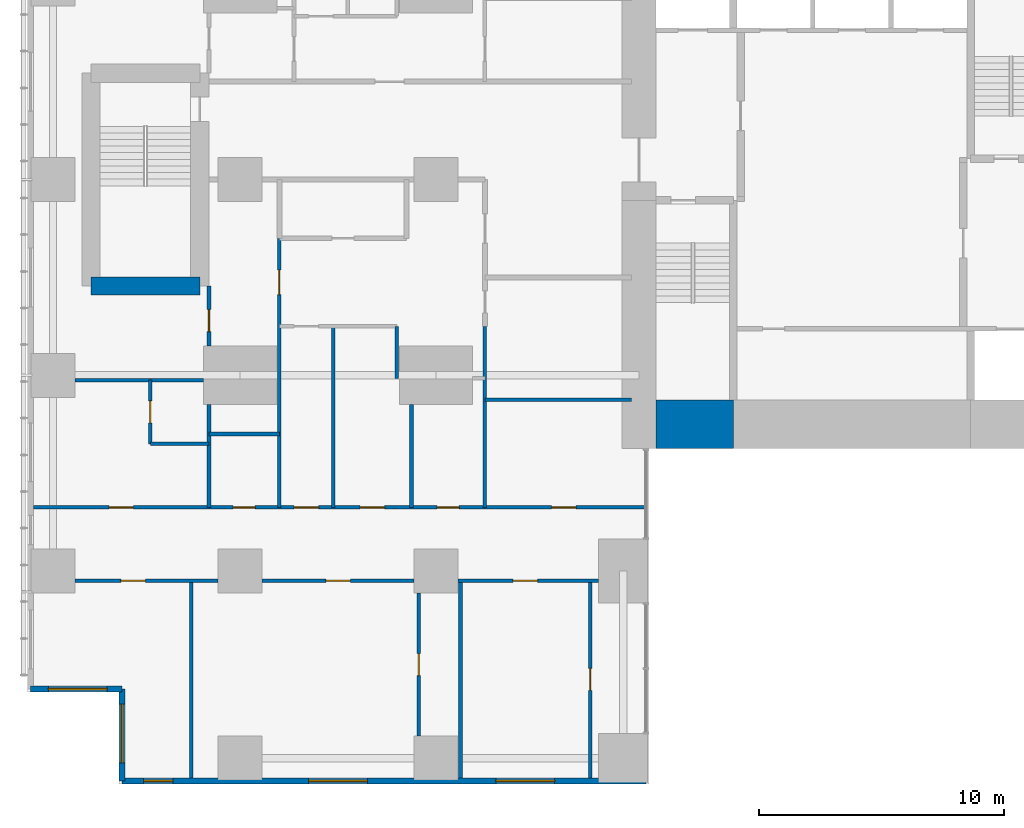
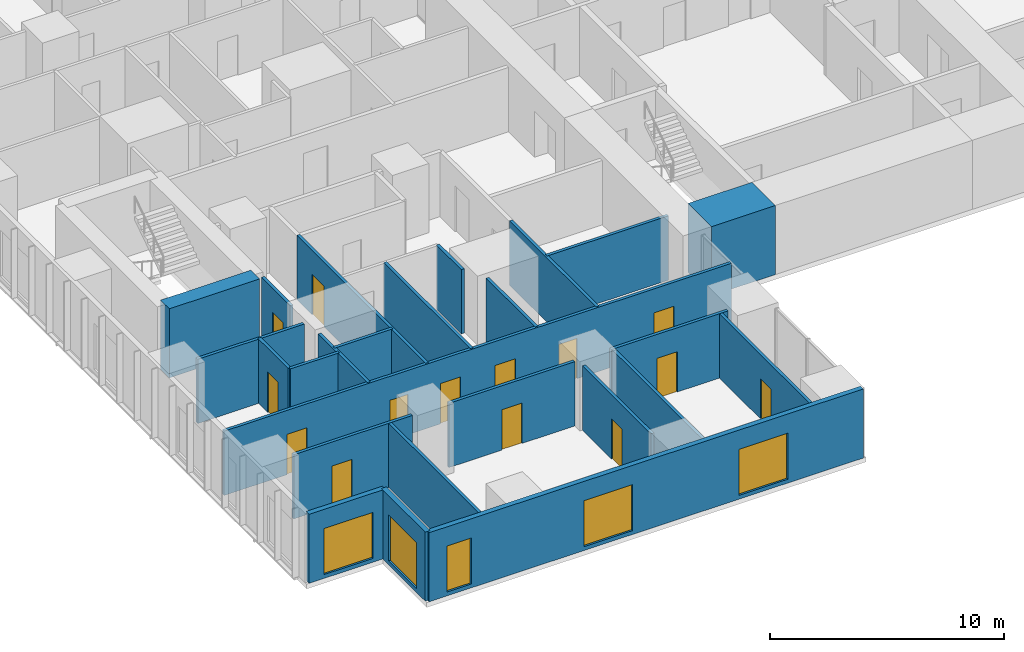
# One storey, part 12 of 20: 25 walls, 14 doors, 5 windows, 19 openings.
"""IFC4 building model written with IfcOpenShell, lengths in metres."""

from ifc_helpers import new_model, si_unit, direction, frame, frame_2d, origin, place, context, subcontext, project, spatial, rectangle, extrude, material, layer, layer_set, type_object, element, fill, save


model = new_model("IFC4")

# Units and contexts
model_context = context("Model", 3, precision=1e-05, world=origin(), true_north=direction((0.0, 1.0)))
body_context = subcontext(model_context, "Body", "Model", "MODEL_VIEW")
ifc_project = project(units=[si_unit("LENGTHUNIT", "METRE"), si_unit("AREAUNIT", "SQUARE_METRE"), si_unit("VOLUMEUNIT", "CUBIC_METRE"), si_unit("PLANEANGLEUNIT", "RADIAN"), si_unit("MASSUNIT", "GRAM", prefix="KILO")], contexts=[model_context])

# Site, building, storey
site_placement = place(None, origin())
site = spatial("IfcSite", under=ifc_project, at=site_placement, CompositionType="ELEMENT")
building_placement = place(site_placement, origin())
building = spatial("IfcBuilding", under=site, at=building_placement, Name="Cleftline Residences", CompositionType="ELEMENT")
storey_placement = place(building_placement, frame((0.0, 0.0, 211.0)))
storey = spatial("IfcBuildingStorey", under=building, at=storey_placement, Name="L55", CompositionType="ELEMENT", Elevation=211.0)

# Wall
ifc_material_1 = material(Name="Concrete B70", Category="concrete")
ifc_layer_1 = layer(ifc_material_1, 2.0)
ifc_layer_set_1 = layer_set([ifc_layer_1], Name="CORE WALL 2000")
wall_type_1 = type_object("IfcWallType", Name="CORE WALL 2000", PredefinedType="SHEAR", material=ifc_layer_set_1)
wall_1_placement = place(storey_placement, frame((25.0, 14.0, 0.0), z_axis=(0.0, 0.0, 1.0), x_axis=(1.0, 0.0, 0.0)))
element("IfcWall", 1, at=wall_1_placement, inside=storey, type_object=wall_type_1, Name="Core wall S1", PredefinedType="SHEAR", context=body_context, shape_type="SweptSolid", body=[
    extrude(rectangle(XDim=3.14990234375, YDim=2.0, at=frame_2d((1.574951171875, 0.0))), origin(), (0.0, 0.0, 1.0), 3.60009765625),
])

# Wall, opening, window
ifc_material_2 = material(Name="Rendered reinforced concrete blockwork", Category="masonry")
ifc_layer_2 = layer(ifc_material_2, 0.25)
ifc_layer_set_2 = layer_set([ifc_layer_2], Name="EXTERNAL WALL 250")
wall_type_2 = type_object("IfcWallType", Name="EXTERNAL WALL 250", PredefinedType="SOLIDWALL", material=ifc_layer_set_2)
wall_2_placement = place(storey_placement, frame((-0.574951171875, 3.175048828125, 0.0), z_axis=(0.0, 0.0, 1.0), x_axis=(1.0, 0.0, 0.0)))
wall_2 = element("IfcWall", 2, at=wall_2_placement, inside=storey, type_object=wall_type_2, Name="External wall", PredefinedType="SOLIDWALL", context=body_context, shape_type="SweptSolid", body=[
    extrude(rectangle(XDim=3.75, YDim=0.25, at=frame_2d((1.875, 0.0))), origin(), (0.0, 0.0, 1.0), 3.60009765625),
])
opening_1_placement = place(wall_2_placement, frame((0.737548828125, 0.0, 0.199951171875)))
opening_1 = element("IfcOpeningElement", 3, at=opening_1_placement, cuts=wall_2, Name="Opening W9", PredefinedType="OPENING", context=body_context, shape_type="SweptSolid", body=[
    extrude(rectangle(XDim=2.39990234375, YDim=2.39990234375, at=frame_2d((1.199951171875, 1.199951171875))), frame((0.0, 0.135009765625, 0.0), z_axis=(0.0, -1.0, 0.0), x_axis=(1.0, 0.0, 0.0)), (0.0, 0.0, 1.0), 0.27001953125),
])
ifc_material_3 = material(Name="Aluminium frame, clear double glazing", Category="aluminium")
window_type_1 = type_object("IfcWindowType", Name="WINDOW 2400X2400", PartitioningType="DOUBLE_PANEL_VERTICAL", PredefinedType="WINDOW", material=ifc_material_3)
window_1_placement = place(opening_1_placement, origin())
window_1 = element("IfcWindow", 4, at=window_1_placement, inside=storey, type_object=window_type_1, Name="Window", OverallHeight=2.39990234375, OverallWidth=2.39990234375, PartitioningType="SINGLE_PANEL", PredefinedType="WINDOW", context=body_context, shape_type="SweptSolid", body=[
    extrude(rectangle(XDim=2.39990234375, YDim=2.39990234375, at=frame_2d((1.199951171875, 1.199951171875))), frame((0.0, 0.030029296875, 0.0), z_axis=(0.0, -1.0, 0.0), x_axis=(1.0, 0.0, 0.0)), (0.0, 0.0, 1.0), 0.06005859375),
])
fill(opening_1, window_1)

wall_3_placement = place(storey_placement, frame((3.175048828125, 3.175048828125, 0.0), z_axis=(0.0, 0.0, 1.0), x_axis=(0.0, -1.0, 0.0)))
wall_3 = element("IfcWall", 5, at=wall_3_placement, inside=storey, type_object=wall_type_2, Name="External wall", PredefinedType="SOLIDWALL", context=body_context, shape_type="SweptSolid", body=[
    extrude(rectangle(XDim=3.75, YDim=0.25, at=frame_2d((1.875, 0.0))), origin(), (0.0, 0.0, 1.0), 3.60009765625),
])
opening_2_placement = place(wall_3_placement, frame((0.612548828125, 0.0, 0.199951171875)))
opening_2 = element("IfcOpeningElement", 6, at=opening_2_placement, cuts=wall_3, Name="Opening W9", PredefinedType="OPENING", context=body_context, shape_type="SweptSolid", body=[
    extrude(rectangle(XDim=2.39990234375, YDim=2.39990234375, at=frame_2d((1.199951171875, 1.199951171875))), frame((0.0, 0.135009765625, 0.0), z_axis=(0.0, -1.0, 0.0), x_axis=(1.0, 0.0, 0.0)), (0.0, 0.0, 1.0), 0.27001953125),
])
window_2_placement = place(opening_2_placement, origin())
window_2 = element("IfcWindow", 7, at=window_2_placement, inside=storey, type_object=window_type_1, Name="Window", OverallHeight=2.39990234375, OverallWidth=2.39990234375, PartitioningType="SINGLE_PANEL", PredefinedType="WINDOW", context=body_context, shape_type="SweptSolid", body=[
    extrude(rectangle(XDim=2.39990234375, YDim=2.39990234375, at=frame_2d((1.199951171875, 1.199951171875))), frame((0.0, 0.030029296875, 0.0), z_axis=(0.0, -1.0, 0.0), x_axis=(1.0, 0.0, 0.0)), (0.0, 0.0, 1.0), 0.06005859375),
])
fill(opening_2, window_2)

# Wall, openings, windows
wall_4_placement = place(storey_placement, frame((3.175048828125, -0.574951171875, 0.0), z_axis=(0.0, 0.0, 1.0), x_axis=(1.0, 0.0, 0.0)))
wall_4 = element("IfcWall", 8, at=wall_4_placement, inside=storey, type_object=wall_type_2, Name="External wall", PredefinedType="SOLIDWALL", context=body_context, shape_type="SweptSolid", body=[
    extrude(rectangle(XDim=21.39990234375, YDim=0.25, at=frame_2d((10.699951171875, 0.0))), origin(), (0.0, 0.0, 1.0), 3.60009765625),
])
opening_3_placement = place(wall_4_placement, frame((0.875, 0.0, 0.199951171875)))
opening_3 = element("IfcOpeningElement", 9, at=opening_3_placement, cuts=wall_4, Name="Opening W13", PredefinedType="OPENING", context=body_context, shape_type="SweptSolid", body=[
    extrude(rectangle(XDim=1.199951171875, YDim=2.39990234375, at=frame_2d((0.60009765625, 1.199951171875))), frame((0.0, 0.135009765625, 0.0), z_axis=(0.0, -1.0, 0.0), x_axis=(1.0, 0.0, 0.0)), (0.0, 0.0, 1.0), 0.27001953125),
])
opening_4_placement = place(wall_4_placement, frame((7.625, 0.0, 0.199951171875)))
opening_4 = element("IfcOpeningElement", 10, at=opening_4_placement, cuts=wall_4, Name="Opening W9", PredefinedType="OPENING", context=body_context, shape_type="SweptSolid", body=[
    extrude(rectangle(XDim=2.39990234375, YDim=2.39990234375, at=frame_2d((1.199951171875, 1.199951171875))), frame((0.0, 0.135009765625, 0.0), z_axis=(0.0, -1.0, 0.0), x_axis=(1.0, 0.0, 0.0)), (0.0, 0.0, 1.0), 0.27001953125),
])
opening_5_placement = place(wall_4_placement, frame((15.27490234375, 0.0, 0.199951171875)))
opening_5 = element("IfcOpeningElement", 11, at=opening_5_placement, cuts=wall_4, Name="Opening W9", PredefinedType="OPENING", context=body_context, shape_type="SweptSolid", body=[
    extrude(rectangle(XDim=2.39990234375, YDim=2.39990234375, at=frame_2d((1.199951171875, 1.199951171875))), frame((0.0, 0.135009765625, 0.0), z_axis=(0.0, -1.0, 0.0), x_axis=(1.0, 0.0, 0.0)), (0.0, 0.0, 1.0), 0.27001953125),
])
ifc_material_4 = material(Name="Aluminium frame, clear double glazing", Category="aluminium")
window_type_2 = type_object("IfcWindowType", Name="WINDOW 1200X2400", PartitioningType="DOUBLE_PANEL_VERTICAL", PredefinedType="WINDOW", material=ifc_material_4)
window_3_placement = place(opening_3_placement, origin())
window_3 = element("IfcWindow", 12, at=window_3_placement, inside=storey, type_object=window_type_2, Name="Window", OverallHeight=2.39990234375, OverallWidth=1.199951171875, PartitioningType="SINGLE_PANEL", PredefinedType="WINDOW", context=body_context, shape_type="SweptSolid", body=[
    extrude(rectangle(XDim=1.199951171875, YDim=2.39990234375, at=frame_2d((0.60009765625, 1.199951171875))), frame((0.0, 0.030029296875, 0.0), z_axis=(0.0, -1.0, 0.0), x_axis=(1.0, 0.0, 0.0)), (0.0, 0.0, 1.0), 0.06005859375),
])
fill(opening_3, window_3)
window_4_placement = place(opening_4_placement, origin())
window_4 = element("IfcWindow", 13, at=window_4_placement, inside=storey, type_object=window_type_1, Name="Window", OverallHeight=2.39990234375, OverallWidth=2.39990234375, PartitioningType="SINGLE_PANEL", PredefinedType="WINDOW", context=body_context, shape_type="SweptSolid", body=[
    extrude(rectangle(XDim=2.39990234375, YDim=2.39990234375, at=frame_2d((1.199951171875, 1.199951171875))), frame((0.0, 0.030029296875, 0.0), z_axis=(0.0, -1.0, 0.0), x_axis=(1.0, 0.0, 0.0)), (0.0, 0.0, 1.0), 0.06005859375),
])
fill(opening_4, window_4)
window_5_placement = place(opening_5_placement, origin())
window_5 = element("IfcWindow", 14, at=window_5_placement, inside=storey, type_object=window_type_1, Name="Window", OverallHeight=2.39990234375, OverallWidth=2.39990234375, PartitioningType="SINGLE_PANEL", PredefinedType="WINDOW", context=body_context, shape_type="SweptSolid", body=[
    extrude(rectangle(XDim=2.39990234375, YDim=2.39990234375, at=frame_2d((1.199951171875, 1.199951171875))), frame((0.0, 0.030029296875, 0.0), z_axis=(0.0, -1.0, 0.0), x_axis=(1.0, 0.0, 0.0)), (0.0, 0.0, 1.0), 0.06005859375),
])
fill(opening_5, window_5)

# Wall, opening, door
ifc_material_5 = material(Name="Gypsum board on steel studs", Category="steel")
ifc_layer_3 = layer(ifc_material_5, 0.14990234375)
ifc_layer_set_3 = layer_set([ifc_layer_3], Name="PARTITION 150")
wall_type_3 = type_object("IfcWallType", Name="PARTITION 150", PredefinedType="PARTITIONING", material=ifc_layer_set_3)
wall_5_placement = place(storey_placement, frame((1.25, 7.60009765625, 0.0), z_axis=(0.0, 0.0, 1.0), x_axis=(1.0, 0.0, 0.0)))
wall_5 = element("IfcWall", 15, at=wall_5_placement, inside=storey, type_object=wall_type_3, Name="Partition", PredefinedType="PARTITIONING", context=body_context, shape_type="SweptSolid", body=[
    extrude(rectangle(XDim=5.85009765625, YDim=0.14990234375, at=frame_2d((2.925048828125, 0.0))), origin(), (0.0, 0.0, 1.0), 3.35009765625),
])
opening_6_placement = place(wall_5_placement, frame((1.875, 0.0, 0.0)))
opening_6 = element("IfcOpeningElement", 16, at=opening_6_placement, cuts=wall_5, Name="Opening D2", PredefinedType="OPENING", context=body_context, shape_type="SweptSolid", body=[
    extrude(rectangle(XDim=1.0, YDim=2.10009765625, at=frame_2d((0.5, 1.050048828125))), frame((0.0, 0.0849609375, 0.0), z_axis=(0.0, -1.0, 0.0), x_axis=(1.0, 0.0, 0.0)), (0.0, 0.0, 1.0), 0.169921875),
])
ifc_material_6 = material(Name="Timber veneer on solid core", Category="wood")
door_type_1 = type_object("IfcDoorType", Name="DOOR 1000X2100", OperationType="SINGLE_SWING_LEFT", PredefinedType="DOOR", material=ifc_material_6)
door_1_placement = place(opening_6_placement, origin())
door_1 = element("IfcDoor", 17, at=door_1_placement, inside=storey, type_object=door_type_1, Name="Door to winter garden", OperationType="SINGLE_SWING_RIGHT", OverallHeight=2.10009765625, OverallWidth=1.0, PredefinedType="DOOR", context=body_context, shape_type="SweptSolid", body=[
    extrude(rectangle(XDim=1.0, YDim=2.10009765625, at=frame_2d((0.5, 1.050048828125))), frame((0.0, 0.02490234375, 0.0), z_axis=(0.0, -1.0, 0.0), x_axis=(1.0, 0.0, 0.0)), (0.0, 0.0, 1.0), 0.050048828125),
])
fill(opening_6, door_1)

wall_6_placement = place(storey_placement, frame((8.89990234375, 7.60009765625, 0.0), z_axis=(0.0, 0.0, 1.0), x_axis=(1.0, 0.0, 0.0)))
wall_6 = element("IfcWall", 18, at=wall_6_placement, inside=storey, type_object=wall_type_3, Name="Partition", PredefinedType="PARTITIONING", context=body_context, shape_type="SweptSolid", body=[
    extrude(rectangle(XDim=6.2001953125, YDim=0.14990234375, at=frame_2d((3.10009765625, 0.0))), origin(), (0.0, 0.0, 1.0), 3.35009765625),
])
opening_7_placement = place(wall_6_placement, frame((2.60009765625, 0.0, 0.0)))
opening_7 = element("IfcOpeningElement", 19, at=opening_7_placement, cuts=wall_6, Name="Opening D2", PredefinedType="OPENING", context=body_context, shape_type="SweptSolid", body=[
    extrude(rectangle(XDim=1.0, YDim=2.10009765625, at=frame_2d((0.5, 1.050048828125))), frame((0.0, 0.0849609375, 0.0), z_axis=(0.0, -1.0, 0.0), x_axis=(1.0, 0.0, 0.0)), (0.0, 0.0, 1.0), 0.169921875),
])
door_2_placement = place(opening_7_placement, origin())
door_2 = element("IfcDoor", 20, at=door_2_placement, inside=storey, type_object=door_type_1, Name="Door to great room", OperationType="SINGLE_SWING_LEFT", OverallHeight=2.10009765625, OverallWidth=1.0, PredefinedType="DOOR", context=body_context, shape_type="SweptSolid", body=[
    extrude(rectangle(XDim=1.0, YDim=2.10009765625, at=frame_2d((0.5, 1.050048828125))), frame((0.0, 0.02490234375, 0.0), z_axis=(0.0, -1.0, 0.0), x_axis=(1.0, 0.0, 0.0)), (0.0, 0.0, 1.0), 0.050048828125),
])
fill(opening_7, door_2)

wall_7_placement = place(storey_placement, frame((16.89990234375, 7.60009765625, 0.0), z_axis=(0.0, 0.0, 1.0), x_axis=(1.0, 0.0, 0.0)))
wall_7 = element("IfcWall", 21, at=wall_7_placement, inside=storey, type_object=wall_type_3, Name="Partition", PredefinedType="PARTITIONING", context=body_context, shape_type="SweptSolid", body=[
    extrude(rectangle(XDim=5.75, YDim=0.14990234375, at=frame_2d((2.875, 0.0))), origin(), (0.0, 0.0, 1.0), 3.35009765625),
])
opening_8_placement = place(wall_7_placement, frame((2.25, 0.0, 0.0)))
opening_8 = element("IfcOpeningElement", 22, at=opening_8_placement, cuts=wall_7, Name="Opening D2", PredefinedType="OPENING", context=body_context, shape_type="SweptSolid", body=[
    extrude(rectangle(XDim=1.0, YDim=2.10009765625, at=frame_2d((0.5, 1.050048828125))), frame((0.0, 0.0849609375, 0.0), z_axis=(0.0, -1.0, 0.0), x_axis=(1.0, 0.0, 0.0)), (0.0, 0.0, 1.0), 0.169921875),
])
door_3_placement = place(opening_8_placement, origin())
door_3 = element("IfcDoor", 23, at=door_3_placement, inside=storey, type_object=door_type_1, Name="Door to show kitchen", OperationType="SINGLE_SWING_RIGHT", OverallHeight=2.10009765625, OverallWidth=1.0, PredefinedType="DOOR", context=body_context, shape_type="SweptSolid", body=[
    extrude(rectangle(XDim=1.0, YDim=2.10009765625, at=frame_2d((0.5, 1.050048828125))), frame((0.0, 0.02490234375, 0.0), z_axis=(0.0, -1.0, 0.0), x_axis=(1.0, 0.0, 0.0)), (0.0, 0.0, 1.0), 0.050048828125),
])
fill(opening_8, door_3)

# Wall, openings, doors
wall_8_placement = place(storey_placement, frame((-0.449951171875, 10.60009765625, 0.0), z_axis=(0.0, 0.0, 1.0), x_axis=(1.0, 0.0, 0.0)))
wall_8 = element("IfcWall", 24, at=wall_8_placement, inside=storey, type_object=wall_type_3, Name="Partition", PredefinedType="PARTITIONING", context=body_context, shape_type="SweptSolid", body=[
    extrude(rectangle(XDim=25.010986328125, YDim=0.14990234375, at=frame_2d((12.50537109375, 0.0))), origin(), (0.0, 0.0, 1.0), 3.35009765625),
])
opening_9_placement = place(wall_8_placement, frame((10.64990234375, 0.0, 0.0)))
opening_9 = element("IfcOpeningElement", 25, at=opening_9_placement, cuts=wall_8, Name="Opening D2", PredefinedType="OPENING", context=body_context, shape_type="SweptSolid", body=[
    extrude(rectangle(XDim=1.0, YDim=2.10009765625, at=frame_2d((0.5, 1.050048828125))), frame((0.0, 0.0849609375, 0.0), z_axis=(0.0, -1.0, 0.0), x_axis=(1.0, 0.0, 0.0)), (0.0, 0.0, 1.0), 0.169921875),
])
opening_10_placement = place(wall_8_placement, frame((3.08740234375, 0.0, 0.0)))
opening_10 = element("IfcOpeningElement", 26, at=opening_10_placement, cuts=wall_8, Name="Opening D2", PredefinedType="OPENING", context=body_context, shape_type="SweptSolid", body=[
    extrude(rectangle(XDim=1.0, YDim=2.10009765625, at=frame_2d((0.5, 1.050048828125))), frame((0.0, 0.0849609375, 0.0), z_axis=(0.0, -1.0, 0.0), x_axis=(1.0, 0.0, 0.0)), (0.0, 0.0, 1.0), 0.169921875),
])
opening_11_placement = place(wall_8_placement, frame((8.16259765625, 0.0, 0.0)))
opening_11 = element("IfcOpeningElement", 27, at=opening_11_placement, cuts=wall_8, Name="Opening D1", PredefinedType="OPENING", context=body_context, shape_type="SweptSolid", body=[
    extrude(rectangle(XDim=0.89990234375, YDim=2.10009765625, at=frame_2d((0.449951171875, 1.050048828125))), frame((0.0, 0.0849609375, 0.0), z_axis=(0.0, -1.0, 0.0), x_axis=(1.0, 0.0, 0.0)), (0.0, 0.0, 1.0), 0.169921875),
])
opening_12_placement = place(wall_8_placement, frame((13.35009765625, 0.0, 0.0)))
opening_12 = element("IfcOpeningElement", 28, at=opening_12_placement, cuts=wall_8, Name="Opening D2", PredefinedType="OPENING", context=body_context, shape_type="SweptSolid", body=[
    extrude(rectangle(XDim=1.0, YDim=2.10009765625, at=frame_2d((0.5, 1.050048828125))), frame((0.0, 0.0849609375, 0.0), z_axis=(0.0, -1.0, 0.0), x_axis=(1.0, 0.0, 0.0)), (0.0, 0.0, 1.0), 0.169921875),
])
opening_13_placement = place(wall_8_placement, frame((16.5, 0.0, 0.0)))
opening_13 = element("IfcOpeningElement", 29, at=opening_13_placement, cuts=wall_8, Name="Opening D1", PredefinedType="OPENING", context=body_context, shape_type="SweptSolid", body=[
    extrude(rectangle(XDim=0.89990234375, YDim=2.10009765625, at=frame_2d((0.449951171875, 1.050048828125))), frame((0.0, 0.0849609375, 0.0), z_axis=(0.0, -1.0, 0.0), x_axis=(1.0, 0.0, 0.0)), (0.0, 0.0, 1.0), 0.169921875),
])
opening_14_placement = place(wall_8_placement, frame((21.175048828125, 0.0, 0.0)))
opening_14 = element("IfcOpeningElement", 30, at=opening_14_placement, cuts=wall_8, Name="Opening D2", PredefinedType="OPENING", context=body_context, shape_type="SweptSolid", body=[
    extrude(rectangle(XDim=1.0, YDim=2.10009765625, at=frame_2d((0.5, 1.050048828125))), frame((0.0, 0.0849609375, 0.0), z_axis=(0.0, -1.0, 0.0), x_axis=(1.0, 0.0, 0.0)), (0.0, 0.0, 1.0), 0.169921875),
])
door_4_placement = place(opening_9_placement, origin())
door_4 = element("IfcDoor", 31, at=door_4_placement, inside=storey, type_object=door_type_1, Name="Door to residence hall", OperationType="SINGLE_SWING_RIGHT", OverallHeight=2.10009765625, OverallWidth=1.0, PredefinedType="DOOR", context=body_context, shape_type="SweptSolid", body=[
    extrude(rectangle(XDim=1.0, YDim=2.10009765625, at=frame_2d((0.5, 1.050048828125))), frame((0.0, 0.02490234375, 0.0), z_axis=(0.0, -1.0, 0.0), x_axis=(1.0, 0.0, 0.0)), (0.0, 0.0, 1.0), 0.050048828125),
])
fill(opening_9, door_4)
door_5_placement = place(opening_10_placement, origin())
door_5 = element("IfcDoor", 32, at=door_5_placement, inside=storey, type_object=door_type_1, Name="Door to guest bedroom", OperationType="SINGLE_SWING_RIGHT", OverallHeight=2.10009765625, OverallWidth=1.0, PredefinedType="DOOR", context=body_context, shape_type="SweptSolid", body=[
    extrude(rectangle(XDim=1.0, YDim=2.10009765625, at=frame_2d((0.5, 1.050048828125))), frame((0.0, 0.02490234375, 0.0), z_axis=(0.0, -1.0, 0.0), x_axis=(1.0, 0.0, 0.0)), (0.0, 0.0, 1.0), 0.050048828125),
])
fill(opening_10, door_5)
door_6_placement = place(opening_12_placement, origin())
door_6 = element("IfcDoor", 33, at=door_6_placement, inside=storey, type_object=door_type_1, Name="Door to wet kitchen", OperationType="SINGLE_SWING_LEFT", OverallHeight=2.10009765625, OverallWidth=1.0, PredefinedType="DOOR", context=body_context, shape_type="SweptSolid", body=[
    extrude(rectangle(XDim=1.0, YDim=2.10009765625, at=frame_2d((0.5, 1.050048828125))), frame((0.0, 0.02490234375, 0.0), z_axis=(0.0, -1.0, 0.0), x_axis=(1.0, 0.0, 0.0)), (0.0, 0.0, 1.0), 0.050048828125),
])
fill(opening_12, door_6)
door_7_placement = place(opening_14_placement, origin())
door_7 = element("IfcDoor", 34, at=door_7_placement, inside=storey, type_object=door_type_1, Name="Door to breakfast room", OperationType="SINGLE_SWING_LEFT", OverallHeight=2.10009765625, OverallWidth=1.0, PredefinedType="DOOR", context=body_context, shape_type="SweptSolid", body=[
    extrude(rectangle(XDim=1.0, YDim=2.10009765625, at=frame_2d((0.5, 1.050048828125))), frame((0.0, 0.02490234375, 0.0), z_axis=(0.0, -1.0, 0.0), x_axis=(1.0, 0.0, 0.0)), (0.0, 0.0, 1.0), 0.050048828125),
])
fill(opening_14, door_7)
ifc_material_7 = material(Name="Timber veneer on solid core", Category="wood")
door_type_2 = type_object("IfcDoorType", Name="DOOR 900X2100", OperationType="SINGLE_SWING_LEFT", PredefinedType="DOOR", material=ifc_material_7)
door_8_placement = place(opening_11_placement, origin())
door_8 = element("IfcDoor", 35, at=door_8_placement, inside=storey, type_object=door_type_2, Name="Door to coat store", OperationType="SINGLE_SWING_RIGHT", OverallHeight=2.10009765625, OverallWidth=0.89990234375, PredefinedType="DOOR", context=body_context, shape_type="SweptSolid", body=[
    extrude(rectangle(XDim=0.89990234375, YDim=2.10009765625, at=frame_2d((0.449951171875, 1.050048828125))), frame((0.0, 0.02490234375, 0.0), z_axis=(0.0, -1.0, 0.0), x_axis=(1.0, 0.0, 0.0)), (0.0, 0.0, 1.0), 0.050048828125),
])
fill(opening_11, door_8)
door_9_placement = place(opening_13_placement, origin())
door_9 = element("IfcDoor", 36, at=door_9_placement, inside=storey, type_object=door_type_2, Name="Door to pantry", OperationType="SINGLE_SWING_LEFT", OverallHeight=2.10009765625, OverallWidth=0.89990234375, PredefinedType="DOOR", context=body_context, shape_type="SweptSolid", body=[
    extrude(rectangle(XDim=0.89990234375, YDim=2.10009765625, at=frame_2d((0.449951171875, 1.050048828125))), frame((0.0, 0.02490234375, 0.0), z_axis=(0.0, -1.0, 0.0), x_axis=(1.0, 0.0, 0.0)), (0.0, 0.0, 1.0), 0.050048828125),
])
fill(opening_13, door_9)

# Walls
wall_9_placement = place(storey_placement, frame((4.324951171875, 13.199951171875, 0.0), z_axis=(0.0, 0.0, 1.0), x_axis=(1.0, 0.0, 0.0)))
element("IfcWall", 37, at=wall_9_placement, inside=storey, type_object=wall_type_3, Name="Partition", PredefinedType="PARTITIONING", context=body_context, shape_type="SweptSolid", body=[
    extrude(rectangle(XDim=2.400146484375, YDim=0.14990234375, at=frame_2d((1.2001953125, 0.0))), origin(), (0.0, 0.0, 1.0), 3.35009765625),
])
wall_10_placement = place(storey_placement, frame((6.72509765625, 13.60009765625, 0.0), z_axis=(0.0, 0.0, 1.0), x_axis=(1.0, 0.0, 0.0)))
element("IfcWall", 38, at=wall_10_placement, inside=storey, type_object=wall_type_3, Name="Partition", PredefinedType="PARTITIONING", context=body_context, shape_type="SweptSolid", body=[
    extrude(rectangle(XDim=2.875, YDim=0.14990234375, at=frame_2d((1.4375, 0.0))), origin(), (0.0, 0.0, 1.0), 3.35009765625),
])
wall_11_placement = place(storey_placement, frame((18.0, 15.0, 0.0), z_axis=(0.0, 0.0, 1.0), x_axis=(1.0, 0.0, 0.0)))
element("IfcWall", 39, at=wall_11_placement, inside=storey, type_object=wall_type_3, Name="Partition", PredefinedType="PARTITIONING", context=body_context, shape_type="SweptSolid", body=[
    extrude(rectangle(XDim=6.0, YDim=0.14990234375, at=frame_2d((3.0, 0.0))), origin(), (0.0, 0.0, 1.0), 3.35009765625),
])
wall_12_placement = place(storey_placement, frame((1.25, 15.800048828125, 0.0), z_axis=(0.0, 0.0, 1.0), x_axis=(1.0, 0.0, 0.0)))
element("IfcWall", 40, at=wall_12_placement, inside=storey, type_object=wall_type_3, Name="Partition", PredefinedType="PARTITIONING", context=body_context, shape_type="SweptSolid", body=[
    extrude(rectangle(XDim=5.25, YDim=0.14990234375, at=frame_2d((2.625, 0.0))), origin(), (0.0, 0.0, 1.0), 3.35009765625),
])

# Wall, opening, door
wall_13_placement = place(storey_placement, frame((4.324951171875, 13.199951171875, 0.0), z_axis=(0.0, 0.0, 1.0), x_axis=(0.0, 1.0, 0.0)))
wall_13 = element("IfcWall", 41, at=wall_13_placement, inside=storey, type_object=wall_type_3, Name="Partition", PredefinedType="PARTITIONING", context=body_context, shape_type="SweptSolid", body=[
    extrude(rectangle(XDim=2.60009765625, YDim=0.14990234375, at=frame_2d((1.300048828125, 0.0))), origin(), (0.0, 0.0, 1.0), 3.35009765625),
])
opening_15_placement = place(wall_13_placement, frame((0.85009765625, 0.0, 0.0)))
opening_15 = element("IfcOpeningElement", 42, at=opening_15_placement, cuts=wall_13, Name="Opening D1", PredefinedType="OPENING", context=body_context, shape_type="SweptSolid", body=[
    extrude(rectangle(XDim=0.89990234375, YDim=2.10009765625, at=frame_2d((0.449951171875, 1.050048828125))), frame((0.0, 0.0849609375, 0.0), z_axis=(0.0, -1.0, 0.0), x_axis=(1.0, 0.0, 0.0)), (0.0, 0.0, 1.0), 0.169921875),
])
door_10_placement = place(opening_15_placement, origin())
door_10 = element("IfcDoor", 43, at=door_10_placement, inside=storey, type_object=door_type_2, Name="Door to guest bathroom", OperationType="SINGLE_SWING_LEFT", OverallHeight=2.10009765625, OverallWidth=0.89990234375, PredefinedType="DOOR", context=body_context, shape_type="SweptSolid", body=[
    extrude(rectangle(XDim=0.89990234375, YDim=2.10009765625, at=frame_2d((0.449951171875, 1.050048828125))), frame((0.0, 0.02490234375, 0.0), z_axis=(0.0, -1.0, 0.0), x_axis=(1.0, 0.0, 0.0)), (0.0, 0.0, 1.0), 0.050048828125),
])
fill(opening_15, door_10)

# Walls
wall_14_placement = place(storey_placement, frame((6.0, -0.449951171875, 0.0), z_axis=(0.0, 0.0, 1.0), x_axis=(0.0, 1.0, 0.0)))
element("IfcWall", 44, at=wall_14_placement, inside=storey, type_object=wall_type_3, Name="Partition", PredefinedType="PARTITIONING", context=body_context, shape_type="SweptSolid", body=[
    extrude(rectangle(XDim=8.050048828125, YDim=0.14990234375, at=frame_2d((4.02490234375, 0.0))), origin(), (0.0, 0.0, 1.0), 3.35009765625),
])
wall_15_placement = place(storey_placement, frame((6.72509765625, 10.60009765625, 0.0), z_axis=(0.0, 0.0, 1.0), x_axis=(0.0, 1.0, 0.0)))
element("IfcWall", 45, at=wall_15_placement, inside=storey, type_object=wall_type_3, Name="Partition", PredefinedType="PARTITIONING", context=body_context, shape_type="SweptSolid", body=[
    extrude(rectangle(XDim=4.199951171875, YDim=0.14990234375, at=frame_2d((2.10009765625, 0.0))), origin(), (0.0, 0.0, 1.0), 3.35009765625),
])

# Wall, opening, door
wall_16_placement = place(storey_placement, frame((6.72509765625, 17.199951171875, 0.0), z_axis=(0.0, 0.0, 1.0), x_axis=(0.0, 1.0, 0.0)))
wall_16 = element("IfcWall", 46, at=wall_16_placement, inside=storey, type_object=wall_type_3, Name="Partition", PredefinedType="PARTITIONING", context=body_context, shape_type="SweptSolid", body=[
    extrude(rectangle(XDim=2.449951171875, YDim=0.14990234375, at=frame_2d((1.22509765625, 0.0))), origin(), (0.0, 0.0, 1.0), 3.35009765625),
])
opening_16_placement = place(wall_16_placement, frame((0.58740234375, 0.0, 0.0)))
opening_16 = element("IfcOpeningElement", 47, at=opening_16_placement, cuts=wall_16, Name="Opening D1", PredefinedType="OPENING", context=body_context, shape_type="SweptSolid", body=[
    extrude(rectangle(XDim=0.89990234375, YDim=2.10009765625, at=frame_2d((0.449951171875, 1.050048828125))), frame((0.0, 0.0849609375, 0.0), z_axis=(0.0, -1.0, 0.0), x_axis=(1.0, 0.0, 0.0)), (0.0, 0.0, 1.0), 0.169921875),
])
door_11_placement = place(opening_16_placement, origin())
door_11 = element("IfcDoor", 48, at=door_11_placement, inside=storey, type_object=door_type_2, Name="Door to drying loggia", OperationType="SINGLE_SWING_RIGHT", OverallHeight=2.10009765625, OverallWidth=0.89990234375, PredefinedType="DOOR", context=body_context, shape_type="SweptSolid", body=[
    extrude(rectangle(XDim=0.89990234375, YDim=2.10009765625, at=frame_2d((0.449951171875, 1.050048828125))), frame((0.0, 0.02490234375, 0.0), z_axis=(0.0, -1.0, 0.0), x_axis=(1.0, 0.0, 0.0)), (0.0, 0.0, 1.0), 0.050048828125),
])
fill(opening_16, door_11)

wall_17_placement = place(storey_placement, frame((9.60009765625, 10.60009765625, 0.0), z_axis=(0.0, 0.0, 1.0), x_axis=(0.0, 1.0, 0.0)))
wall_17 = element("IfcWall", 49, at=wall_17_placement, inside=storey, type_object=wall_type_3, Name="Partition", PredefinedType="PARTITIONING", context=body_context, shape_type="SweptSolid", body=[
    extrude(rectangle(XDim=11.0, YDim=0.14990234375, at=frame_2d((5.5, 0.0))), origin(), (0.0, 0.0, 1.0), 3.35009765625),
])
opening_17_placement = place(wall_17_placement, frame((8.699951171875, 0.0, 0.0)))
opening_17 = element("IfcOpeningElement", 50, at=opening_17_placement, cuts=wall_17, Name="Opening D2F30", PredefinedType="OPENING", context=body_context, shape_type="SweptSolid", body=[
    extrude(rectangle(XDim=1.0, YDim=2.10009765625, at=frame_2d((0.5, 1.050048828125))), frame((0.0, 0.0849609375, 0.0), z_axis=(0.0, -1.0, 0.0), x_axis=(1.0, 0.0, 0.0)), (0.0, 0.0, 1.0), 0.169921875),
])
ifc_material_8 = material(Name="Timber veneer on solid core", Category="wood")
door_type_3 = type_object("IfcDoorType", Name="DOOR 1000X2100 EI 30", OperationType="SINGLE_SWING_LEFT", PredefinedType="DOOR", material=ifc_material_8)
door_12_placement = place(opening_17_placement, origin())
door_12 = element("IfcDoor", 51, at=door_12_placement, inside=storey, type_object=door_type_3, Name="Door to residence lobby", OperationType="SINGLE_SWING_LEFT", OverallHeight=2.10009765625, OverallWidth=1.0, PredefinedType="DOOR", context=body_context, shape_type="SweptSolid", body=[
    extrude(rectangle(XDim=1.0, YDim=2.10009765625, at=frame_2d((0.5, 1.050048828125))), frame((0.0, 0.02490234375, 0.0), z_axis=(0.0, -1.0, 0.0), x_axis=(1.0, 0.0, 0.0)), (0.0, 0.0, 1.0), 0.050048828125),
])
fill(opening_17, door_12)

# Walls
wall_18_placement = place(storey_placement, frame((11.800048828125, 10.60009765625, 0.0), z_axis=(0.0, 0.0, 1.0), x_axis=(0.0, 1.0, 0.0)))
element("IfcWall", 52, at=wall_18_placement, inside=storey, type_object=wall_type_3, Name="Partition", PredefinedType="PARTITIONING", context=body_context, shape_type="SweptSolid", body=[
    extrude(rectangle(XDim=7.39990234375, YDim=0.14990234375, at=frame_2d((3.699951171875, 0.0))), origin(), (0.0, 0.0, 1.0), 3.35009765625),
])
wall_19_placement = place(storey_placement, frame((14.39990234375, 15.875, 0.0), z_axis=(0.0, 0.0, 1.0), x_axis=(0.0, 1.0, 0.0)))
element("IfcWall", 53, at=wall_19_placement, inside=storey, type_object=wall_type_3, Name="Partition", PredefinedType="PARTITIONING", context=body_context, shape_type="SweptSolid", body=[
    extrude(rectangle(XDim=2.125, YDim=0.14990234375, at=frame_2d((1.0625, 0.0))), origin(), (0.0, 0.0, 1.0), 3.35009765625),
])
wall_20_placement = place(storey_placement, frame((15.0, 10.60009765625, 0.0), z_axis=(0.0, 0.0, 1.0), x_axis=(0.0, 1.0, 0.0)))
element("IfcWall", 54, at=wall_20_placement, inside=storey, type_object=wall_type_3, Name="Partition", PredefinedType="PARTITIONING", context=body_context, shape_type="SweptSolid", body=[
    extrude(rectangle(XDim=4.199951171875, YDim=0.14990234375, at=frame_2d((2.10009765625, 0.0))), origin(), (0.0, 0.0, 1.0), 3.35009765625),
])

# Wall, opening, door
wall_21_placement = place(storey_placement, frame((15.300048828125, 1.25, 0.0), z_axis=(0.0, 0.0, 1.0), x_axis=(0.0, 1.0, 0.0)))
wall_21 = element("IfcWall", 55, at=wall_21_placement, inside=storey, type_object=wall_type_3, Name="Partition", PredefinedType="PARTITIONING", context=body_context, shape_type="SweptSolid", body=[
    extrude(rectangle(XDim=5.85009765625, YDim=0.14990234375, at=frame_2d((2.925048828125, 0.0))), origin(), (0.0, 0.0, 1.0), 3.35009765625),
])
opening_18_placement = place(wall_21_placement, frame((2.47509765625, 0.0, 0.0)))
opening_18 = element("IfcOpeningElement", 56, at=opening_18_placement, cuts=wall_21, Name="Opening D1", PredefinedType="OPENING", context=body_context, shape_type="SweptSolid", body=[
    extrude(rectangle(XDim=0.89990234375, YDim=2.10009765625, at=frame_2d((0.449951171875, 1.050048828125))), frame((0.0, 0.0849609375, 0.0), z_axis=(0.0, -1.0, 0.0), x_axis=(1.0, 0.0, 0.0)), (0.0, 0.0, 1.0), 0.169921875),
])
door_13_placement = place(opening_18_placement, origin())
door_13 = element("IfcDoor", 57, at=door_13_placement, inside=storey, type_object=door_type_2, Name="Door to store room", OperationType="SINGLE_SWING_LEFT", OverallHeight=2.10009765625, OverallWidth=0.89990234375, PredefinedType="DOOR", context=body_context, shape_type="SweptSolid", body=[
    extrude(rectangle(XDim=0.89990234375, YDim=2.10009765625, at=frame_2d((0.449951171875, 1.050048828125))), frame((0.0, 0.02490234375, 0.0), z_axis=(0.0, -1.0, 0.0), x_axis=(1.0, 0.0, 0.0)), (0.0, 0.0, 1.0), 0.050048828125),
])
fill(opening_18, door_13)

# Walls
wall_22_placement = place(storey_placement, frame((17.0, -0.449951171875, 0.0), z_axis=(0.0, 0.0, 1.0), x_axis=(0.0, 1.0, 0.0)))
element("IfcWall", 58, at=wall_22_placement, inside=storey, type_object=wall_type_3, Name="Partition", PredefinedType="PARTITIONING", context=body_context, shape_type="SweptSolid", body=[
    extrude(rectangle(XDim=8.050048828125, YDim=0.14990234375, at=frame_2d((4.02490234375, 0.0))), origin(), (0.0, 0.0, 1.0), 3.35009765625),
])
wall_23_placement = place(storey_placement, frame((18.0, 10.60009765625, 0.0), z_axis=(0.0, 0.0, 1.0), x_axis=(0.0, 1.0, 0.0)))
element("IfcWall", 59, at=wall_23_placement, inside=storey, type_object=wall_type_3, Name="Partition", PredefinedType="PARTITIONING", context=body_context, shape_type="SweptSolid", body=[
    extrude(rectangle(XDim=7.39990234375, YDim=0.14990234375, at=frame_2d((3.699951171875, 0.0))), origin(), (0.0, 0.0, 1.0), 3.35009765625),
])

# Wall, opening, door
wall_24_placement = place(storey_placement, frame((22.300048828125, -0.449951171875, 0.0), z_axis=(0.0, 0.0, 1.0), x_axis=(0.0, 1.0, 0.0)))
wall_24 = element("IfcWall", 60, at=wall_24_placement, inside=storey, type_object=wall_type_3, Name="Partition", PredefinedType="PARTITIONING", context=body_context, shape_type="SweptSolid", body=[
    extrude(rectangle(XDim=8.050048828125, YDim=0.14990234375, at=frame_2d((4.02490234375, 0.0))), origin(), (0.0, 0.0, 1.0), 3.35009765625),
])
opening_19_placement = place(wall_24_placement, frame((3.574951171875, 0.0, 0.0)))
opening_19 = element("IfcOpeningElement", 61, at=opening_19_placement, cuts=wall_24, Name="Opening D1", PredefinedType="OPENING", context=body_context, shape_type="SweptSolid", body=[
    extrude(rectangle(XDim=0.89990234375, YDim=2.10009765625, at=frame_2d((0.449951171875, 1.050048828125))), frame((0.0, 0.0849609375, 0.0), z_axis=(0.0, -1.0, 0.0), x_axis=(1.0, 0.0, 0.0)), (0.0, 0.0, 1.0), 0.169921875),
])
door_14_placement = place(opening_19_placement, origin())
door_14 = element("IfcDoor", 62, at=door_14_placement, inside=storey, type_object=door_type_2, Name="Door to larder", OperationType="SINGLE_SWING_LEFT", OverallHeight=2.10009765625, OverallWidth=0.89990234375, PredefinedType="DOOR", context=body_context, shape_type="SweptSolid", body=[
    extrude(rectangle(XDim=0.89990234375, YDim=2.10009765625, at=frame_2d((0.449951171875, 1.050048828125))), frame((0.0, 0.02490234375, 0.0), z_axis=(0.0, -1.0, 0.0), x_axis=(1.0, 0.0, 0.0)), (0.0, 0.0, 1.0), 0.050048828125),
])
fill(opening_19, door_14)

# Wall
ifc_material_9 = material(Name="Concrete B70", Category="concrete")
ifc_layer_4 = layer(ifc_material_9, 0.75)
ifc_layer_set_4 = layer_set([ifc_layer_4], Name="SHEAR WALL 750")
wall_type_4 = type_object("IfcWallType", Name="SHEAR WALL 750", PredefinedType="SHEAR", material=ifc_layer_set_4)
wall_25_placement = place(storey_placement, frame((1.89990234375, 19.64990234375, 0.0), z_axis=(0.0, 0.0, 1.0), x_axis=(1.0, 0.0, 0.0)))
element("IfcWall", 63, at=wall_25_placement, inside=storey, type_object=wall_type_4, Name="Wing shear wall", PredefinedType="SHEAR", context=body_context, shape_type="SweptSolid", body=[
    extrude(rectangle(XDim=4.4501953125, YDim=0.75, at=frame_2d((2.22509765625, 0.0))), origin(), (0.0, 0.0, 1.0), 3.60009765625),
])

save(model, "model.ifc")
